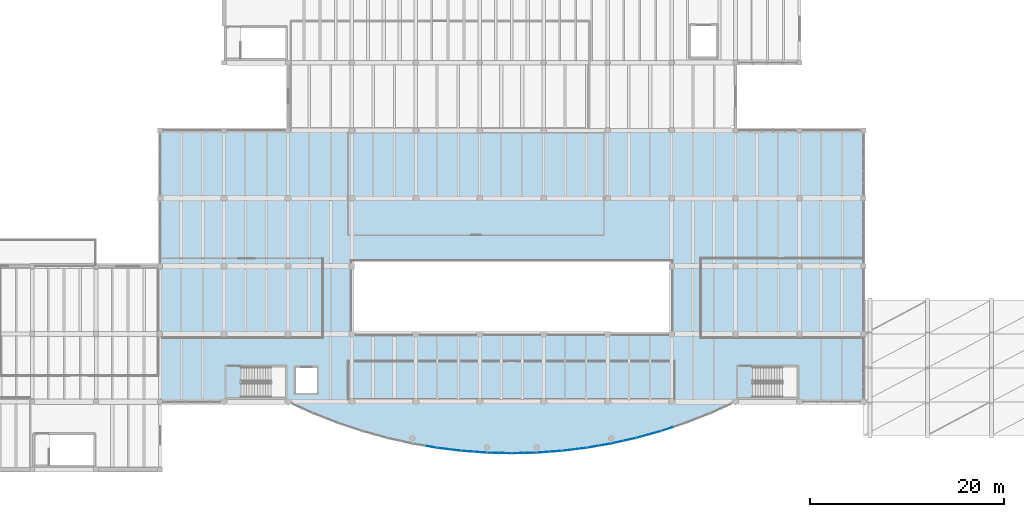
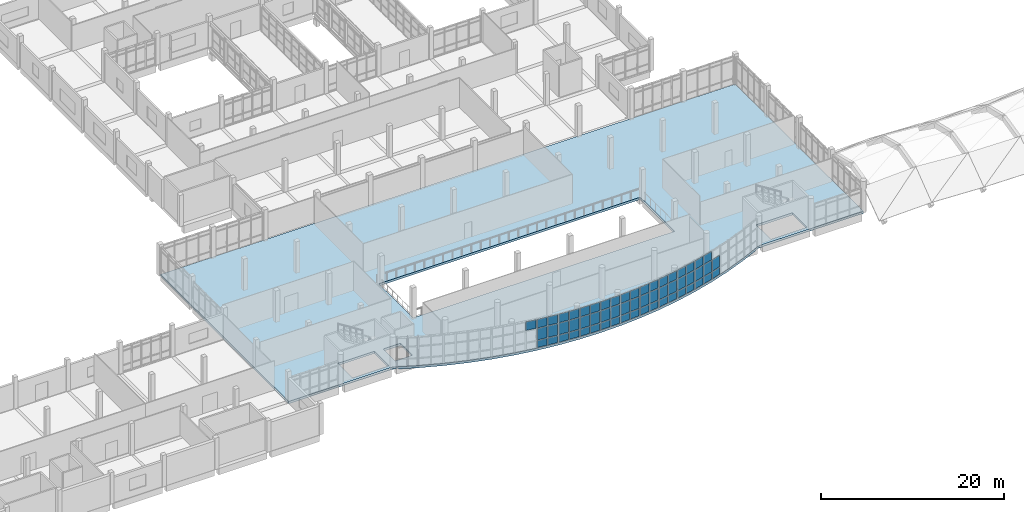
# One storey, part 37 of 65: 57 plates, 1 slab, 11 elements without a shape of their own.
"""IFC4 building model written with IfcOpenShell, lengths in metres."""

from ifc_helpers import new_model, si_unit, direction, frame, origin, origin_2d, place, context, subcontext, project, spatial, polyline, rectangle, outline, extrude, material, layer, layer_set, type_object, element, aggregate, save


model = new_model("IFC4")

# Units and contexts
model_context = context("Model", 3, precision=1e-05, world=origin(), true_north=direction((0.0, 1.0)))
body_context = subcontext(model_context, "Body", "Model", "MODEL_VIEW")
ifc_project = project(units=[si_unit("LENGTHUNIT", "METRE"), si_unit("AREAUNIT", "SQUARE_METRE"), si_unit("VOLUMEUNIT", "CUBIC_METRE"), si_unit("PLANEANGLEUNIT", "RADIAN"), si_unit("MASSUNIT", "GRAM", prefix="KILO")], contexts=[model_context])

# Site, building, storey
site_placement = place(None, origin())
site = spatial("IfcSite", under=ifc_project, at=site_placement, CompositionType="ELEMENT")
building_placement = place(site_placement, origin())
building = spatial("IfcBuilding", under=site, at=building_placement, Name="Ciguamira Faculty of Natural Sciences", CompositionType="ELEMENT")
storey_placement = place(building_placement, frame((0.0, 0.0, 12.60009765625)))
storey = spatial("IfcBuildingStorey", under=building, at=storey_placement, Name="L03", CompositionType="ELEMENT", Elevation=12.60009765625)

# Curtain wall, plate
ifc_material_1 = material(Name="Anodized aluminium curtain wall", Category="aluminium")
curtain_wall_type_1 = type_object("IfcCurtainWallType", Name="CurtainWall_CW-05", PredefinedType="USERDEFINED", material=ifc_material_1)
curtain_wall_1_placement = place(storey_placement, origin())
curtain_wall_1 = element("IfcCurtainWall", 1, at=curtain_wall_1_placement, inside=storey, type_object=curtain_wall_type_1, Name="L03 south gallery curved curtain wall 06", ObjectType="UNITISED CURTAIN WALL", PredefinedType="USERDEFINED")
ifc_material_2 = material(Name="Low-E laminated solar glass", Category="glass")
ifc_layer_1 = layer(ifc_material_2, 0.028076171875, Name="Low-E laminated solar glass")
ifc_layer_set_1 = layer_set([ifc_layer_1], Name="Low-E laminated solar glass")
plate_type = type_object("IfcPlateType", Name="CWPanel_CWP-01", PredefinedType="CURTAIN_PANEL", material=ifc_layer_set_1)
plate_1_placement = place(storey_placement, frame((78.638671875, 5.357421875, 2.68994140625), z_axis=(0.0, 0.0, 1.0), x_axis=(0.985410865099, -0.170192323402, 0.0)))
plate_1 = element("IfcPlate", 2, at=plate_1_placement, type_object=plate_type, Name="CW-05 panel 2.3", PredefinedType="CURTAIN_PANEL", context=body_context, shape_type="SweptSolid", body=[
    extrude(rectangle(XDim=1.182373046875, YDim=0.028076171875, at=origin_2d()), origin(), (0.0, 0.0, 1.0), 1.1298828125),
])
aggregate(curtain_wall_1, [plate_1])

# Curtain wall, plates
curtain_wall_type_2 = type_object("IfcCurtainWallType", Name="CurtainWall_CW-06", PredefinedType="USERDEFINED", material=ifc_material_1)
curtain_wall_2_placement = place(storey_placement, origin())
curtain_wall_2 = element("IfcCurtainWall", 3, at=curtain_wall_2_placement, inside=storey, type_object=curtain_wall_type_2, Name="L03 south gallery curved curtain wall 07", ObjectType="UNITISED CURTAIN WALL", PredefinedType="USERDEFINED")
plate_2_placement = place(storey_placement, frame((79.96142578125, 5.162109375, 0.080078125), z_axis=(0.0, 0.0, 1.0), x_axis=(0.992585912631, -0.12154507825, 0.0)))
plate_2 = element("IfcPlate", 4, at=plate_2_placement, type_object=plate_type, Name="CW-06 panel 1.1", PredefinedType="CURTAIN_PANEL", context=body_context, shape_type="SweptSolid", body=[
    extrude(rectangle(XDim=1.1728515625, YDim=0.028076171875, at=origin_2d()), origin(), (0.0, 0.0, 1.0), 0.929931640625),
])
plate_3_placement = place(storey_placement, frame((79.96142578125, 5.162109375, 1.08984375), z_axis=(0.0, 0.0, 1.0), x_axis=(0.992585912631, -0.12154507825, 0.0)))
plate_3 = element("IfcPlate", 5, at=plate_3_placement, type_object=plate_type, Name="CW-06 panel 1.2", PredefinedType="CURTAIN_PANEL", context=body_context, shape_type="SweptSolid", body=[
    extrude(rectangle(XDim=1.1728515625, YDim=0.028076171875, at=origin_2d()), origin(), (0.0, 0.0, 1.0), 1.52001953125),
])
plate_4_placement = place(storey_placement, frame((79.96142578125, 5.162109375, 2.68994140625), z_axis=(0.0, 0.0, 1.0), x_axis=(0.992585912631, -0.12154507825, 0.0)))
plate_4 = element("IfcPlate", 6, at=plate_4_placement, type_object=plate_type, Name="CW-06 panel 1.3", PredefinedType="CURTAIN_PANEL", context=body_context, shape_type="SweptSolid", body=[
    extrude(rectangle(XDim=1.1728515625, YDim=0.028076171875, at=origin_2d()), origin(), (0.0, 0.0, 1.0), 1.1298828125),
])
plate_5_placement = place(storey_placement, frame((81.205078125, 5.010009765625, 0.080078125), z_axis=(0.0, 0.0, 1.0), x_axis=(0.992585912631, -0.12154507825, 0.0)))
plate_5 = element("IfcPlate", 7, at=plate_5_placement, type_object=plate_type, Name="CW-06 panel 2.1", PredefinedType="CURTAIN_PANEL", context=body_context, shape_type="SweptSolid", body=[
    extrude(rectangle(XDim=1.1728515625, YDim=0.028076171875, at=origin_2d()), origin(), (0.0, 0.0, 1.0), 0.929931640625),
])
plate_6_placement = place(storey_placement, frame((81.205078125, 5.010009765625, 1.08984375), z_axis=(0.0, 0.0, 1.0), x_axis=(0.992585912631, -0.12154507825, 0.0)))
plate_6 = element("IfcPlate", 8, at=plate_6_placement, type_object=plate_type, Name="CW-06 panel 2.2", PredefinedType="CURTAIN_PANEL", context=body_context, shape_type="SweptSolid", body=[
    extrude(rectangle(XDim=1.1728515625, YDim=0.028076171875, at=origin_2d()), origin(), (0.0, 0.0, 1.0), 1.52001953125),
])
plate_7_placement = place(storey_placement, frame((81.205078125, 5.010009765625, 2.68994140625), z_axis=(0.0, 0.0, 1.0), x_axis=(0.992585912631, -0.12154507825, 0.0)))
plate_7 = element("IfcPlate", 9, at=plate_7_placement, type_object=plate_type, Name="CW-06 panel 2.3", PredefinedType="CURTAIN_PANEL", context=body_context, shape_type="SweptSolid", body=[
    extrude(rectangle(XDim=1.1728515625, YDim=0.028076171875, at=origin_2d()), origin(), (0.0, 0.0, 1.0), 1.1298828125),
])
aggregate(curtain_wall_2, [plate_2, plate_3, plate_4, plate_5, plate_6, plate_7])

curtain_wall_type_3 = type_object("IfcCurtainWallType", Name="CurtainWall_CW-07", PredefinedType="USERDEFINED", material=ifc_material_1)
curtain_wall_3_placement = place(storey_placement, origin())
curtain_wall_3 = element("IfcCurtainWall", 10, at=curtain_wall_3_placement, inside=storey, type_object=curtain_wall_type_3, Name="L03 south gallery curved curtain wall 08", ObjectType="UNITISED CURTAIN WALL", PredefinedType="USERDEFINED")
plate_8_placement = place(storey_placement, frame((82.5283203125, 4.880615234375, 0.080078125), z_axis=(0.0, 0.0, 1.0), x_axis=(0.99733655099, -0.072936986916, 0.0)))
plate_8 = element("IfcPlate", 11, at=plate_8_placement, type_object=plate_type, Name="CW-07 panel 1.1", PredefinedType="CURTAIN_PANEL", context=body_context, shape_type="SweptSolid", body=[
    extrude(rectangle(XDim=1.166748046875, YDim=0.028076171875, at=origin_2d()), origin(), (0.0, 0.0, 1.0), 0.929931640625),
])
plate_9_placement = place(storey_placement, frame((82.5283203125, 4.880615234375, 1.08984375), z_axis=(0.0, 0.0, 1.0), x_axis=(0.99733655099, -0.072936986916, 0.0)))
plate_9 = element("IfcPlate", 12, at=plate_9_placement, type_object=plate_type, Name="CW-07 panel 1.2", PredefinedType="CURTAIN_PANEL", context=body_context, shape_type="SweptSolid", body=[
    extrude(rectangle(XDim=1.166748046875, YDim=0.028076171875, at=origin_2d()), origin(), (0.0, 0.0, 1.0), 1.52001953125),
])
plate_10_placement = place(storey_placement, frame((82.5283203125, 4.880615234375, 2.68994140625), z_axis=(0.0, 0.0, 1.0), x_axis=(0.99733655099, -0.072936986916, 0.0)))
plate_10 = element("IfcPlate", 13, at=plate_10_placement, type_object=plate_type, Name="CW-07 panel 1.3", PredefinedType="CURTAIN_PANEL", context=body_context, shape_type="SweptSolid", body=[
    extrude(rectangle(XDim=1.166748046875, YDim=0.028076171875, at=origin_2d()), origin(), (0.0, 0.0, 1.0), 1.1298828125),
])
plate_11_placement = place(storey_placement, frame((83.771728515625, 4.78955078125, 0.080078125), z_axis=(0.0, 0.0, 1.0), x_axis=(0.99733655099, -0.072936986916, 0.0)))
plate_11 = element("IfcPlate", 14, at=plate_11_placement, type_object=plate_type, Name="CW-07 panel 2.1", PredefinedType="CURTAIN_PANEL", context=body_context, shape_type="SweptSolid", body=[
    extrude(rectangle(XDim=1.166748046875, YDim=0.028076171875, at=origin_2d()), origin(), (0.0, 0.0, 1.0), 0.929931640625),
])
plate_12_placement = place(storey_placement, frame((83.771728515625, 4.78955078125, 1.08984375), z_axis=(0.0, 0.0, 1.0), x_axis=(0.99733655099, -0.072936986916, 0.0)))
plate_12 = element("IfcPlate", 15, at=plate_12_placement, type_object=plate_type, Name="CW-07 panel 2.2", PredefinedType="CURTAIN_PANEL", context=body_context, shape_type="SweptSolid", body=[
    extrude(rectangle(XDim=1.166748046875, YDim=0.028076171875, at=origin_2d()), origin(), (0.0, 0.0, 1.0), 1.52001953125),
])
plate_13_placement = place(storey_placement, frame((83.771728515625, 4.78955078125, 2.68994140625), z_axis=(0.0, 0.0, 1.0), x_axis=(0.99733655099, -0.072936986916, 0.0)))
plate_13 = element("IfcPlate", 16, at=plate_13_placement, type_object=plate_type, Name="CW-07 panel 2.3", PredefinedType="CURTAIN_PANEL", context=body_context, shape_type="SweptSolid", body=[
    extrude(rectangle(XDim=1.166748046875, YDim=0.028076171875, at=origin_2d()), origin(), (0.0, 0.0, 1.0), 1.1298828125),
])
aggregate(curtain_wall_3, [plate_8, plate_9, plate_10, plate_11, plate_12, plate_13])

curtain_wall_type_4 = type_object("IfcCurtainWallType", Name="CurtainWall_CW-08", PredefinedType="USERDEFINED", material=ifc_material_1)
curtain_wall_4_placement = place(storey_placement, origin())
curtain_wall_4 = element("IfcCurtainWall", 17, at=curtain_wall_4_placement, inside=storey, type_object=curtain_wall_type_4, Name="L03 south gallery curved curtain wall 09", ObjectType="UNITISED CURTAIN WALL", PredefinedType="USERDEFINED")
plate_14_placement = place(storey_placement, frame((85.094970703125, 4.72509765625, 0.080078125), z_axis=(0.0, 0.0, 1.0), x_axis=(0.999703662415, -0.024343117197, 0.0)))
plate_14 = element("IfcPlate", 18, at=plate_14_placement, type_object=plate_type, Name="CW-08 panel 1.1", PredefinedType="CURTAIN_PANEL", context=body_context, shape_type="SweptSolid", body=[
    extrude(rectangle(XDim=1.163818359375, YDim=0.028076171875, at=origin_2d()), origin(), (0.0, 0.0, 1.0), 0.929931640625),
])
plate_15_placement = place(storey_placement, frame((85.094970703125, 4.72509765625, 1.08984375), z_axis=(0.0, 0.0, 1.0), x_axis=(0.999703662415, -0.024343117197, 0.0)))
plate_15 = element("IfcPlate", 19, at=plate_15_placement, type_object=plate_type, Name="CW-08 panel 1.2", PredefinedType="CURTAIN_PANEL", context=body_context, shape_type="SweptSolid", body=[
    extrude(rectangle(XDim=1.163818359375, YDim=0.028076171875, at=origin_2d()), origin(), (0.0, 0.0, 1.0), 1.52001953125),
])
plate_16_placement = place(storey_placement, frame((85.094970703125, 4.72509765625, 2.68994140625), z_axis=(0.0, 0.0, 1.0), x_axis=(0.999703662415, -0.024343117197, 0.0)))
plate_16 = element("IfcPlate", 20, at=plate_16_placement, type_object=plate_type, Name="CW-08 panel 1.3", PredefinedType="CURTAIN_PANEL", context=body_context, shape_type="SweptSolid", body=[
    extrude(rectangle(XDim=1.163818359375, YDim=0.028076171875, at=origin_2d()), origin(), (0.0, 0.0, 1.0), 1.1298828125),
])
plate_17_placement = place(storey_placement, frame((86.33837890625, 4.69482421875, 0.080078125), z_axis=(0.0, 0.0, 1.0), x_axis=(0.999703662415, -0.024343117197, 0.0)))
plate_17 = element("IfcPlate", 21, at=plate_17_placement, type_object=plate_type, Name="CW-08 panel 2.1", PredefinedType="CURTAIN_PANEL", context=body_context, shape_type="SweptSolid", body=[
    extrude(rectangle(XDim=1.163818359375, YDim=0.028076171875, at=origin_2d()), origin(), (0.0, 0.0, 1.0), 0.929931640625),
])
plate_18_placement = place(storey_placement, frame((86.33837890625, 4.69482421875, 1.08984375), z_axis=(0.0, 0.0, 1.0), x_axis=(0.999703662415, -0.024343117197, 0.0)))
plate_18 = element("IfcPlate", 22, at=plate_18_placement, type_object=plate_type, Name="CW-08 panel 2.2", PredefinedType="CURTAIN_PANEL", context=body_context, shape_type="SweptSolid", body=[
    extrude(rectangle(XDim=1.163818359375, YDim=0.028076171875, at=origin_2d()), origin(), (0.0, 0.0, 1.0), 1.52001953125),
])
plate_19_placement = place(storey_placement, frame((86.33837890625, 4.69482421875, 2.68994140625), z_axis=(0.0, 0.0, 1.0), x_axis=(0.999703662415, -0.024343117197, 0.0)))
plate_19 = element("IfcPlate", 23, at=plate_19_placement, type_object=plate_type, Name="CW-08 panel 2.3", PredefinedType="CURTAIN_PANEL", context=body_context, shape_type="SweptSolid", body=[
    extrude(rectangle(XDim=1.163818359375, YDim=0.028076171875, at=origin_2d()), origin(), (0.0, 0.0, 1.0), 1.1298828125),
])
aggregate(curtain_wall_4, [plate_14, plate_15, plate_16, plate_17, plate_18, plate_19])

curtain_wall_type_5 = type_object("IfcCurtainWallType", Name="CurtainWall_CW-09", PredefinedType="USERDEFINED", material=ifc_material_1)
curtain_wall_5_placement = place(storey_placement, origin())
curtain_wall_5 = element("IfcCurtainWall", 24, at=curtain_wall_5_placement, inside=storey, type_object=curtain_wall_type_5, Name="L03 south gallery curved curtain wall 10", ObjectType="UNITISED CURTAIN WALL", PredefinedType="USERDEFINED")
plate_20_placement = place(storey_placement, frame((87.66162109375, 4.69482421875, 0.080078125), z_axis=(0.0, 0.0, 1.0), x_axis=(0.999703662415, 0.024343117197, 0.0)))
plate_20 = element("IfcPlate", 25, at=plate_20_placement, type_object=plate_type, Name="CW-09 panel 1.1", PredefinedType="CURTAIN_PANEL", context=body_context, shape_type="SweptSolid", body=[
    extrude(rectangle(XDim=1.163818359375, YDim=0.028076171875, at=origin_2d()), origin(), (0.0, 0.0, 1.0), 0.929931640625),
])
plate_21_placement = place(storey_placement, frame((87.66162109375, 4.69482421875, 1.08984375), z_axis=(0.0, 0.0, 1.0), x_axis=(0.999703662415, 0.024343117197, 0.0)))
plate_21 = element("IfcPlate", 26, at=plate_21_placement, type_object=plate_type, Name="CW-09 panel 1.2", PredefinedType="CURTAIN_PANEL", context=body_context, shape_type="SweptSolid", body=[
    extrude(rectangle(XDim=1.163818359375, YDim=0.028076171875, at=origin_2d()), origin(), (0.0, 0.0, 1.0), 1.52001953125),
])
plate_22_placement = place(storey_placement, frame((87.66162109375, 4.69482421875, 2.68994140625), z_axis=(0.0, 0.0, 1.0), x_axis=(0.999703662415, 0.024343117197, 0.0)))
plate_22 = element("IfcPlate", 27, at=plate_22_placement, type_object=plate_type, Name="CW-09 panel 1.3", PredefinedType="CURTAIN_PANEL", context=body_context, shape_type="SweptSolid", body=[
    extrude(rectangle(XDim=1.163818359375, YDim=0.028076171875, at=origin_2d()), origin(), (0.0, 0.0, 1.0), 1.1298828125),
])
plate_23_placement = place(storey_placement, frame((88.905029296875, 4.72509765625, 0.080078125), z_axis=(0.0, 0.0, 1.0), x_axis=(0.999703662415, 0.024343117197, 0.0)))
plate_23 = element("IfcPlate", 28, at=plate_23_placement, type_object=plate_type, Name="CW-09 panel 2.1", PredefinedType="CURTAIN_PANEL", context=body_context, shape_type="SweptSolid", body=[
    extrude(rectangle(XDim=1.163818359375, YDim=0.028076171875, at=origin_2d()), origin(), (0.0, 0.0, 1.0), 0.929931640625),
])
plate_24_placement = place(storey_placement, frame((88.905029296875, 4.72509765625, 1.08984375), z_axis=(0.0, 0.0, 1.0), x_axis=(0.999703662415, 0.024343117197, 0.0)))
plate_24 = element("IfcPlate", 29, at=plate_24_placement, type_object=plate_type, Name="CW-09 panel 2.2", PredefinedType="CURTAIN_PANEL", context=body_context, shape_type="SweptSolid", body=[
    extrude(rectangle(XDim=1.163818359375, YDim=0.028076171875, at=origin_2d()), origin(), (0.0, 0.0, 1.0), 1.52001953125),
])
plate_25_placement = place(storey_placement, frame((88.905029296875, 4.72509765625, 2.68994140625), z_axis=(0.0, 0.0, 1.0), x_axis=(0.999703662415, 0.024343117197, 0.0)))
plate_25 = element("IfcPlate", 30, at=plate_25_placement, type_object=plate_type, Name="CW-09 panel 2.3", PredefinedType="CURTAIN_PANEL", context=body_context, shape_type="SweptSolid", body=[
    extrude(rectangle(XDim=1.163818359375, YDim=0.028076171875, at=origin_2d()), origin(), (0.0, 0.0, 1.0), 1.1298828125),
])
aggregate(curtain_wall_5, [plate_20, plate_21, plate_22, plate_23, plate_24, plate_25])

curtain_wall_type_6 = type_object("IfcCurtainWallType", Name="CurtainWall_CW-10", PredefinedType="USERDEFINED", material=ifc_material_1)
curtain_wall_6_placement = place(storey_placement, origin())
curtain_wall_6 = element("IfcCurtainWall", 31, at=curtain_wall_6_placement, inside=storey, type_object=curtain_wall_type_6, Name="L03 south gallery curved curtain wall 11", ObjectType="UNITISED CURTAIN WALL", PredefinedType="USERDEFINED")
plate_26_placement = place(storey_placement, frame((90.228271484375, 4.78955078125, 0.080078125), z_axis=(0.0, 0.0, 1.0), x_axis=(0.99733655099, 0.072936986916, 0.0)))
plate_26 = element("IfcPlate", 32, at=plate_26_placement, type_object=plate_type, Name="CW-10 panel 1.1", PredefinedType="CURTAIN_PANEL", context=body_context, shape_type="SweptSolid", body=[
    extrude(rectangle(XDim=1.166748046875, YDim=0.028076171875, at=origin_2d()), origin(), (0.0, 0.0, 1.0), 0.929931640625),
])
plate_27_placement = place(storey_placement, frame((90.228271484375, 4.78955078125, 1.08984375), z_axis=(0.0, 0.0, 1.0), x_axis=(0.99733655099, 0.072936986916, 0.0)))
plate_27 = element("IfcPlate", 33, at=plate_27_placement, type_object=plate_type, Name="CW-10 panel 1.2", PredefinedType="CURTAIN_PANEL", context=body_context, shape_type="SweptSolid", body=[
    extrude(rectangle(XDim=1.166748046875, YDim=0.028076171875, at=origin_2d()), origin(), (0.0, 0.0, 1.0), 1.52001953125),
])
plate_28_placement = place(storey_placement, frame((90.228271484375, 4.78955078125, 2.68994140625), z_axis=(0.0, 0.0, 1.0), x_axis=(0.99733655099, 0.072936986916, 0.0)))
plate_28 = element("IfcPlate", 34, at=plate_28_placement, type_object=plate_type, Name="CW-10 panel 1.3", PredefinedType="CURTAIN_PANEL", context=body_context, shape_type="SweptSolid", body=[
    extrude(rectangle(XDim=1.166748046875, YDim=0.028076171875, at=origin_2d()), origin(), (0.0, 0.0, 1.0), 1.1298828125),
])
plate_29_placement = place(storey_placement, frame((91.4716796875, 4.880615234375, 0.080078125), z_axis=(0.0, 0.0, 1.0), x_axis=(0.99733655099, 0.072936986916, 0.0)))
plate_29 = element("IfcPlate", 35, at=plate_29_placement, type_object=plate_type, Name="CW-10 panel 2.1", PredefinedType="CURTAIN_PANEL", context=body_context, shape_type="SweptSolid", body=[
    extrude(rectangle(XDim=1.166748046875, YDim=0.028076171875, at=origin_2d()), origin(), (0.0, 0.0, 1.0), 0.929931640625),
])
plate_30_placement = place(storey_placement, frame((91.4716796875, 4.880615234375, 1.08984375), z_axis=(0.0, 0.0, 1.0), x_axis=(0.99733655099, 0.072936986916, 0.0)))
plate_30 = element("IfcPlate", 36, at=plate_30_placement, type_object=plate_type, Name="CW-10 panel 2.2", PredefinedType="CURTAIN_PANEL", context=body_context, shape_type="SweptSolid", body=[
    extrude(rectangle(XDim=1.166748046875, YDim=0.028076171875, at=origin_2d()), origin(), (0.0, 0.0, 1.0), 1.52001953125),
])
plate_31_placement = place(storey_placement, frame((91.4716796875, 4.880615234375, 2.68994140625), z_axis=(0.0, 0.0, 1.0), x_axis=(0.99733655099, 0.072936986916, 0.0)))
plate_31 = element("IfcPlate", 37, at=plate_31_placement, type_object=plate_type, Name="CW-10 panel 2.3", PredefinedType="CURTAIN_PANEL", context=body_context, shape_type="SweptSolid", body=[
    extrude(rectangle(XDim=1.166748046875, YDim=0.028076171875, at=origin_2d()), origin(), (0.0, 0.0, 1.0), 1.1298828125),
])
aggregate(curtain_wall_6, [plate_26, plate_27, plate_28, plate_29, plate_30, plate_31])

curtain_wall_type_7 = type_object("IfcCurtainWallType", Name="CurtainWall_CW-11", PredefinedType="USERDEFINED", material=ifc_material_1)
curtain_wall_7_placement = place(storey_placement, origin())
curtain_wall_7 = element("IfcCurtainWall", 38, at=curtain_wall_7_placement, inside=storey, type_object=curtain_wall_type_7, Name="L03 south gallery curved curtain wall 12", ObjectType="UNITISED CURTAIN WALL", PredefinedType="USERDEFINED")
plate_32_placement = place(storey_placement, frame((92.794921875, 5.010009765625, 0.080078125), z_axis=(0.0, 0.0, 1.0), x_axis=(0.992585912631, 0.12154507825, 0.0)))
plate_32 = element("IfcPlate", 39, at=plate_32_placement, type_object=plate_type, Name="CW-11 panel 1.1", PredefinedType="CURTAIN_PANEL", context=body_context, shape_type="SweptSolid", body=[
    extrude(rectangle(XDim=1.1728515625, YDim=0.028076171875, at=origin_2d()), origin(), (0.0, 0.0, 1.0), 0.929931640625),
])
plate_33_placement = place(storey_placement, frame((92.794921875, 5.010009765625, 1.08984375), z_axis=(0.0, 0.0, 1.0), x_axis=(0.992585912631, 0.12154507825, 0.0)))
plate_33 = element("IfcPlate", 40, at=plate_33_placement, type_object=plate_type, Name="CW-11 panel 1.2", PredefinedType="CURTAIN_PANEL", context=body_context, shape_type="SweptSolid", body=[
    extrude(rectangle(XDim=1.1728515625, YDim=0.028076171875, at=origin_2d()), origin(), (0.0, 0.0, 1.0), 1.52001953125),
])
plate_34_placement = place(storey_placement, frame((92.794921875, 5.010009765625, 2.68994140625), z_axis=(0.0, 0.0, 1.0), x_axis=(0.992585912631, 0.12154507825, 0.0)))
plate_34 = element("IfcPlate", 41, at=plate_34_placement, type_object=plate_type, Name="CW-11 panel 1.3", PredefinedType="CURTAIN_PANEL", context=body_context, shape_type="SweptSolid", body=[
    extrude(rectangle(XDim=1.1728515625, YDim=0.028076171875, at=origin_2d()), origin(), (0.0, 0.0, 1.0), 1.1298828125),
])
plate_35_placement = place(storey_placement, frame((94.03857421875, 5.162109375, 0.080078125), z_axis=(0.0, 0.0, 1.0), x_axis=(0.992585912631, 0.12154507825, 0.0)))
plate_35 = element("IfcPlate", 42, at=plate_35_placement, type_object=plate_type, Name="CW-11 panel 2.1", PredefinedType="CURTAIN_PANEL", context=body_context, shape_type="SweptSolid", body=[
    extrude(rectangle(XDim=1.1728515625, YDim=0.028076171875, at=origin_2d()), origin(), (0.0, 0.0, 1.0), 0.929931640625),
])
plate_36_placement = place(storey_placement, frame((94.03857421875, 5.162109375, 1.08984375), z_axis=(0.0, 0.0, 1.0), x_axis=(0.992585912631, 0.12154507825, 0.0)))
plate_36 = element("IfcPlate", 43, at=plate_36_placement, type_object=plate_type, Name="CW-11 panel 2.2", PredefinedType="CURTAIN_PANEL", context=body_context, shape_type="SweptSolid", body=[
    extrude(rectangle(XDim=1.1728515625, YDim=0.028076171875, at=origin_2d()), origin(), (0.0, 0.0, 1.0), 1.52001953125),
])
plate_37_placement = place(storey_placement, frame((94.03857421875, 5.162109375, 2.68994140625), z_axis=(0.0, 0.0, 1.0), x_axis=(0.992585912631, 0.12154507825, 0.0)))
plate_37 = element("IfcPlate", 44, at=plate_37_placement, type_object=plate_type, Name="CW-11 panel 2.3", PredefinedType="CURTAIN_PANEL", context=body_context, shape_type="SweptSolid", body=[
    extrude(rectangle(XDim=1.1728515625, YDim=0.028076171875, at=origin_2d()), origin(), (0.0, 0.0, 1.0), 1.1298828125),
])
aggregate(curtain_wall_7, [plate_32, plate_33, plate_34, plate_35, plate_36, plate_37])

curtain_wall_type_8 = type_object("IfcCurtainWallType", Name="CurtainWall_CW-12", PredefinedType="USERDEFINED", material=ifc_material_1)
curtain_wall_8_placement = place(storey_placement, origin())
curtain_wall_8 = element("IfcCurtainWall", 45, at=curtain_wall_8_placement, inside=storey, type_object=curtain_wall_type_8, Name="L03 south gallery curved curtain wall 13", ObjectType="UNITISED CURTAIN WALL", PredefinedType="USERDEFINED")
plate_38_placement = place(storey_placement, frame((95.361328125, 5.357421875, 0.080078125), z_axis=(0.0, 0.0, 1.0), x_axis=(0.985410865099, 0.170192323402, 0.0)))
plate_38 = element("IfcPlate", 46, at=plate_38_placement, type_object=plate_type, Name="CW-12 panel 1.1", PredefinedType="CURTAIN_PANEL", context=body_context, shape_type="SweptSolid", body=[
    extrude(rectangle(XDim=1.182373046875, YDim=0.028076171875, at=origin_2d()), origin(), (0.0, 0.0, 1.0), 0.929931640625),
])
plate_39_placement = place(storey_placement, frame((95.361328125, 5.357421875, 1.08984375), z_axis=(0.0, 0.0, 1.0), x_axis=(0.985410865099, 0.170192323402, 0.0)))
plate_39 = element("IfcPlate", 47, at=plate_39_placement, type_object=plate_type, Name="CW-12 panel 1.2", PredefinedType="CURTAIN_PANEL", context=body_context, shape_type="SweptSolid", body=[
    extrude(rectangle(XDim=1.182373046875, YDim=0.028076171875, at=origin_2d()), origin(), (0.0, 0.0, 1.0), 1.52001953125),
])
plate_40_placement = place(storey_placement, frame((95.361328125, 5.357421875, 2.68994140625), z_axis=(0.0, 0.0, 1.0), x_axis=(0.985410865099, 0.170192323402, 0.0)))
plate_40 = element("IfcPlate", 48, at=plate_40_placement, type_object=plate_type, Name="CW-12 panel 1.3", PredefinedType="CURTAIN_PANEL", context=body_context, shape_type="SweptSolid", body=[
    extrude(rectangle(XDim=1.182373046875, YDim=0.028076171875, at=origin_2d()), origin(), (0.0, 0.0, 1.0), 1.1298828125),
])
plate_41_placement = place(storey_placement, frame((96.605224609375, 5.572265625, 0.080078125), z_axis=(0.0, 0.0, 1.0), x_axis=(0.985410865099, 0.170192323402, 0.0)))
plate_41 = element("IfcPlate", 49, at=plate_41_placement, type_object=plate_type, Name="CW-12 panel 2.1", PredefinedType="CURTAIN_PANEL", context=body_context, shape_type="SweptSolid", body=[
    extrude(rectangle(XDim=1.182373046875, YDim=0.028076171875, at=origin_2d()), origin(), (0.0, 0.0, 1.0), 0.929931640625),
])
plate_42_placement = place(storey_placement, frame((96.605224609375, 5.572265625, 1.08984375), z_axis=(0.0, 0.0, 1.0), x_axis=(0.985410865099, 0.170192323402, 0.0)))
plate_42 = element("IfcPlate", 50, at=plate_42_placement, type_object=plate_type, Name="CW-12 panel 2.2", PredefinedType="CURTAIN_PANEL", context=body_context, shape_type="SweptSolid", body=[
    extrude(rectangle(XDim=1.182373046875, YDim=0.028076171875, at=origin_2d()), origin(), (0.0, 0.0, 1.0), 1.52001953125),
])
plate_43_placement = place(storey_placement, frame((96.605224609375, 5.572265625, 2.68994140625), z_axis=(0.0, 0.0, 1.0), x_axis=(0.985410865099, 0.170192323402, 0.0)))
plate_43 = element("IfcPlate", 51, at=plate_43_placement, type_object=plate_type, Name="CW-12 panel 2.3", PredefinedType="CURTAIN_PANEL", context=body_context, shape_type="SweptSolid", body=[
    extrude(rectangle(XDim=1.182373046875, YDim=0.028076171875, at=origin_2d()), origin(), (0.0, 0.0, 1.0), 1.1298828125),
])
aggregate(curtain_wall_8, [plate_38, plate_39, plate_40, plate_41, plate_42, plate_43])

curtain_wall_type_9 = type_object("IfcCurtainWallType", Name="CurtainWall_CW-01", PredefinedType="USERDEFINED", material=ifc_material_1)
curtain_wall_9_placement = place(storey_placement, origin())
curtain_wall_9 = element("IfcCurtainWall", 52, at=curtain_wall_9_placement, inside=storey, type_object=curtain_wall_type_9, Name="L03 south gallery curved curtain wall 14", ObjectType="UNITISED CURTAIN WALL", PredefinedType="USERDEFINED")
plate_44_placement = place(storey_placement, frame((97.927978515625, 5.834716796875, 0.080078125), z_axis=(0.0, 0.0, 1.0), x_axis=(0.975762990759, 0.218830038763, 0.0)))
plate_44 = element("IfcPlate", 53, at=plate_44_placement, type_object=plate_type, Name="CW-01 panel 1.1", PredefinedType="CURTAIN_PANEL", context=body_context, shape_type="SweptSolid", body=[
    extrude(rectangle(XDim=1.195068359375, YDim=0.028076171875, at=origin_2d()), origin(), (0.0, 0.0, 1.0), 0.929931640625),
])
plate_45_placement = place(storey_placement, frame((97.927978515625, 5.834716796875, 1.08984375), z_axis=(0.0, 0.0, 1.0), x_axis=(0.975762990759, 0.218830038763, 0.0)))
plate_45 = element("IfcPlate", 54, at=plate_45_placement, type_object=plate_type, Name="CW-01 panel 1.2", PredefinedType="CURTAIN_PANEL", context=body_context, shape_type="SweptSolid", body=[
    extrude(rectangle(XDim=1.195068359375, YDim=0.028076171875, at=origin_2d()), origin(), (0.0, 0.0, 1.0), 1.52001953125),
])
plate_46_placement = place(storey_placement, frame((97.927978515625, 5.834716796875, 2.68994140625), z_axis=(0.0, 0.0, 1.0), x_axis=(0.975762990759, 0.218830038763, 0.0)))
plate_46 = element("IfcPlate", 55, at=plate_46_placement, type_object=plate_type, Name="CW-01 panel 1.3", PredefinedType="CURTAIN_PANEL", context=body_context, shape_type="SweptSolid", body=[
    extrude(rectangle(XDim=1.195068359375, YDim=0.028076171875, at=origin_2d()), origin(), (0.0, 0.0, 1.0), 1.1298828125),
])
plate_47_placement = place(storey_placement, frame((99.172119140625, 6.11376953125, 0.080078125), z_axis=(0.0, 0.0, 1.0), x_axis=(0.975762990759, 0.218830038763, 0.0)))
plate_47 = element("IfcPlate", 56, at=plate_47_placement, type_object=plate_type, Name="CW-01 panel 2.1", PredefinedType="CURTAIN_PANEL", context=body_context, shape_type="SweptSolid", body=[
    extrude(rectangle(XDim=1.195068359375, YDim=0.028076171875, at=origin_2d()), origin(), (0.0, 0.0, 1.0), 0.929931640625),
])
plate_48_placement = place(storey_placement, frame((99.172119140625, 6.11376953125, 1.08984375), z_axis=(0.0, 0.0, 1.0), x_axis=(0.975762990759, 0.218830038763, 0.0)))
plate_48 = element("IfcPlate", 57, at=plate_48_placement, type_object=plate_type, Name="CW-01 panel 2.2", PredefinedType="CURTAIN_PANEL", context=body_context, shape_type="SweptSolid", body=[
    extrude(rectangle(XDim=1.195068359375, YDim=0.028076171875, at=origin_2d()), origin(), (0.0, 0.0, 1.0), 1.52001953125),
])
plate_49_placement = place(storey_placement, frame((99.172119140625, 6.11376953125, 2.68994140625), z_axis=(0.0, 0.0, 1.0), x_axis=(0.975762990759, 0.218830038763, 0.0)))
plate_49 = element("IfcPlate", 58, at=plate_49_placement, type_object=plate_type, Name="CW-01 panel 2.3", PredefinedType="CURTAIN_PANEL", context=body_context, shape_type="SweptSolid", body=[
    extrude(rectangle(XDim=1.195068359375, YDim=0.028076171875, at=origin_2d()), origin(), (0.0, 0.0, 1.0), 1.1298828125),
])
aggregate(curtain_wall_9, [plate_44, plate_45, plate_46, plate_47, plate_48, plate_49])

curtain_wall_type_10 = type_object("IfcCurtainWallType", Name="CurtainWall_CW-02", PredefinedType="USERDEFINED", material=ifc_material_1)
curtain_wall_10_placement = place(storey_placement, origin())
curtain_wall_10 = element("IfcCurtainWall", 59, at=curtain_wall_10_placement, inside=storey, type_object=curtain_wall_type_10, Name="L03 south gallery curved curtain wall 15", ObjectType="UNITISED CURTAIN WALL", PredefinedType="USERDEFINED")
plate_50_placement = place(storey_placement, frame((100.494140625, 6.445556640625, 0.080078125), z_axis=(0.0, 0.0, 1.0), x_axis=(0.963573286652, 0.267444426472, 0.0)))
plate_50 = element("IfcPlate", 60, at=plate_50_placement, type_object=plate_type, Name="CW-02 panel 1.1", PredefinedType="CURTAIN_PANEL", context=body_context, shape_type="SweptSolid", body=[
    extrude(rectangle(XDim=1.2119140625, YDim=0.028076171875, at=origin_2d()), origin(), (0.0, 0.0, 1.0), 0.929931640625),
])
plate_51_placement = place(storey_placement, frame((100.494140625, 6.445556640625, 1.08984375), z_axis=(0.0, 0.0, 1.0), x_axis=(0.963573286652, 0.267444426472, 0.0)))
plate_51 = element("IfcPlate", 61, at=plate_51_placement, type_object=plate_type, Name="CW-02 panel 1.2", PredefinedType="CURTAIN_PANEL", context=body_context, shape_type="SweptSolid", body=[
    extrude(rectangle(XDim=1.2119140625, YDim=0.028076171875, at=origin_2d()), origin(), (0.0, 0.0, 1.0), 1.52001953125),
])
plate_52_placement = place(storey_placement, frame((100.494140625, 6.445556640625, 2.68994140625), z_axis=(0.0, 0.0, 1.0), x_axis=(0.963573286652, 0.267444426472, 0.0)))
plate_52 = element("IfcPlate", 62, at=plate_52_placement, type_object=plate_type, Name="CW-02 panel 1.3", PredefinedType="CURTAIN_PANEL", context=body_context, shape_type="SweptSolid", body=[
    extrude(rectangle(XDim=1.2119140625, YDim=0.028076171875, at=origin_2d()), origin(), (0.0, 0.0, 1.0), 1.1298828125),
])
plate_53_placement = place(storey_placement, frame((101.739013671875, 6.791015625, 0.080078125), z_axis=(0.0, 0.0, 1.0), x_axis=(0.963573286652, 0.267444426472, 0.0)))
plate_53 = element("IfcPlate", 63, at=plate_53_placement, type_object=plate_type, Name="CW-02 panel 2.1", PredefinedType="CURTAIN_PANEL", context=body_context, shape_type="SweptSolid", body=[
    extrude(rectangle(XDim=1.2119140625, YDim=0.028076171875, at=origin_2d()), origin(), (0.0, 0.0, 1.0), 0.929931640625),
])
plate_54_placement = place(storey_placement, frame((101.739013671875, 6.791015625, 1.08984375), z_axis=(0.0, 0.0, 1.0), x_axis=(0.963573286652, 0.267444426472, 0.0)))
plate_54 = element("IfcPlate", 64, at=plate_54_placement, type_object=plate_type, Name="CW-02 panel 2.2", PredefinedType="CURTAIN_PANEL", context=body_context, shape_type="SweptSolid", body=[
    extrude(rectangle(XDim=1.2119140625, YDim=0.028076171875, at=origin_2d()), origin(), (0.0, 0.0, 1.0), 1.52001953125),
])
plate_55_placement = place(storey_placement, frame((101.739013671875, 6.791015625, 2.68994140625), z_axis=(0.0, 0.0, 1.0), x_axis=(0.963573286652, 0.267444426472, 0.0)))
plate_55 = element("IfcPlate", 65, at=plate_55_placement, type_object=plate_type, Name="CW-02 panel 2.3", PredefinedType="CURTAIN_PANEL", context=body_context, shape_type="SweptSolid", body=[
    extrude(rectangle(XDim=1.2119140625, YDim=0.028076171875, at=origin_2d()), origin(), (0.0, 0.0, 1.0), 1.1298828125),
])
aggregate(curtain_wall_10, [plate_50, plate_51, plate_52, plate_53, plate_54, plate_55])

curtain_wall_type_11 = type_object("IfcCurtainWallType", Name="CurtainWall_CW-03", PredefinedType="USERDEFINED", material=ifc_material_1)
curtain_wall_11_placement = place(storey_placement, origin())
curtain_wall_11 = element("IfcCurtainWall", 66, at=curtain_wall_11_placement, inside=storey, type_object=curtain_wall_type_11, Name="L03 south gallery curved curtain wall 16", ObjectType="UNITISED CURTAIN WALL", PredefinedType="USERDEFINED")
plate_56_placement = place(storey_placement, frame((103.060546875, 7.194580078125, 0.080078125), z_axis=(0.0, 0.0, 1.0), x_axis=(0.948735033862, 0.316072516242, 0.0)))
plate_56 = element("IfcPlate", 67, at=plate_56_placement, type_object=plate_type, Name="CW-03 panel 1.1", PredefinedType="CURTAIN_PANEL", context=body_context, shape_type="SweptSolid", body=[
    extrude(rectangle(XDim=1.232666015625, YDim=0.028076171875, at=origin_2d()), origin(), (0.0, 0.0, 1.0), 0.929931640625),
])
plate_57_placement = place(storey_placement, frame((103.060546875, 7.194580078125, 1.08984375), z_axis=(0.0, 0.0, 1.0), x_axis=(0.948735033862, 0.316072516242, 0.0)))
plate_57 = element("IfcPlate", 68, at=plate_57_placement, type_object=plate_type, Name="CW-03 panel 1.2", PredefinedType="CURTAIN_PANEL", context=body_context, shape_type="SweptSolid", body=[
    extrude(rectangle(XDim=1.232666015625, YDim=0.028076171875, at=origin_2d()), origin(), (0.0, 0.0, 1.0), 1.52001953125),
])
aggregate(curtain_wall_11, [plate_56, plate_57])

# Slab
ifc_material_3 = material(Name="Concrete C40/50", Category="concrete")
ifc_layer_2 = layer(ifc_material_3, 0.300048828125, Name="Concrete C40/50")
ifc_layer_set_2 = layer_set([ifc_layer_2], Name="Concrete C40/50")
slab_type = type_object("IfcSlabType", Name="Slab_SF-02_300", PredefinedType="FLOOR", material=ifc_layer_set_2)
slab_placement = place(storey_placement, frame((0.0, 0.0, -0.300048828125)))
element("IfcSlab", 69, at=slab_placement, inside=storey, type_object=slab_type, Name="L03 V3 structural slab", PredefinedType="FLOOR", context=body_context, shape_type="SweptSolid", body=[
    extrude(outline(polyline([(50.75, 10.0), (63.89990234375, 10.0), (66.466796875, 8.8349609375), (69.033203125, 7.82958984375), (71.60009765625, 6.974609375), (74.166748046875, 6.26220703125), (76.7333984375, 5.6865234375), (79.300048828125, 5.2431640625), (81.86669921875, 4.928955078125), (84.433349609375, 4.7412109375), (87.0, 4.6787109375), (89.566650390625, 4.7412109375), (92.13330078125, 4.928955078125), (94.699951171875, 5.2431640625), (97.2666015625, 5.6865234375), (99.833251953125, 6.26220703125), (102.39990234375, 6.974609375), (104.966796875, 7.82958984375), (107.533203125, 8.8349609375), (110.10009765625, 10.0), (123.300048828125, 10.0), (123.300048828125, 38.0), (50.75, 38.0), (50.75, 10.0)]), holes=[polyline([(59.06005859375, 10.449951171875), (63.64990234375, 10.449951171875), (63.64990234375, 13.610107421875), (59.06005859375, 13.610107421875), (59.06005859375, 10.449951171875)]), polyline([(111.860107421875, 10.449951171875), (116.449951171875, 10.449951171875), (116.449951171875, 13.610107421875), (111.860107421875, 13.610107421875), (111.860107421875, 10.449951171875)]), polyline([(64.699951171875, 10.89990234375), (66.89990234375, 10.89990234375), (66.89990234375, 13.5), (64.699951171875, 13.5), (64.699951171875, 10.89990234375)]), polyline([(70.5, 17.0), (103.5, 17.0), (103.5, 24.5), (70.5, 24.5), (70.5, 17.0)])]), origin(), (0.0, 0.0, 1.0), 0.300048828125),
])

save(model, "model.ifc")
